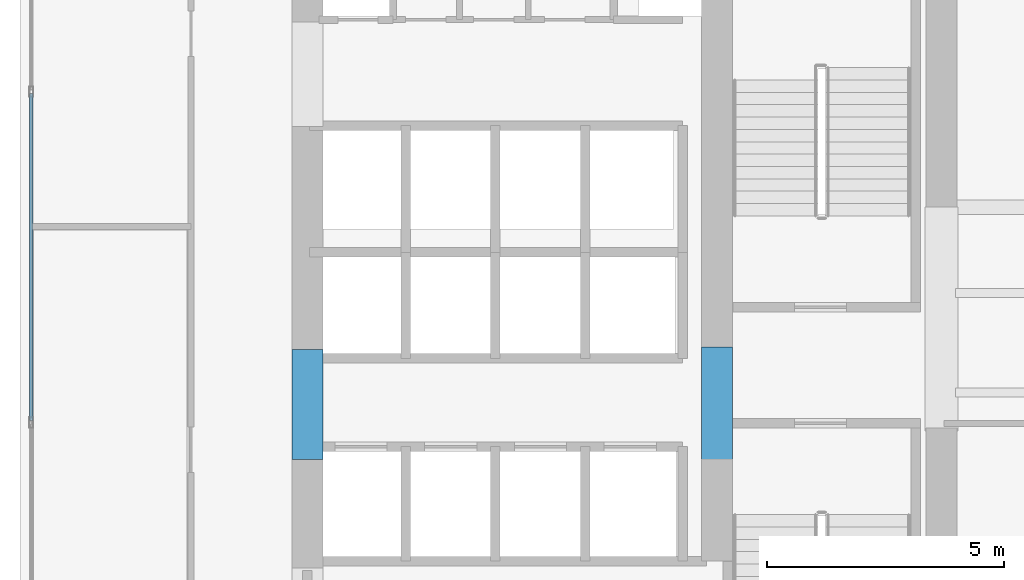
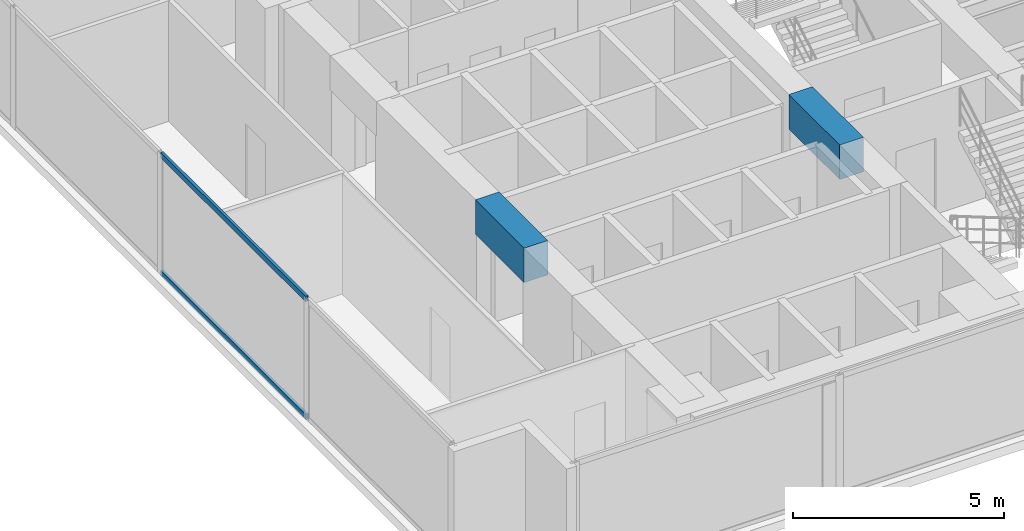
# One storey, part 3 of 25: 2 beams, 2 members, 1 element without a shape of its own.
"""IFC4 building model written with IfcOpenShell, lengths in metres."""

from ifc_helpers import new_model, si_unit, direction, frame, origin, origin_with_axes, origin_2d, place, context, subcontext, project, spatial, rectangle, hollow_rectangle, extrude, source, transform, mapped, material, layer, layer_set, material_profile, profile_set, type_object, element, aggregate, save


model = new_model("IFC4")

# Units and contexts
model_context = context("Model", 3, precision=1e-05, world=origin(), true_north=direction((0.0, 1.0)))
body_context = subcontext(model_context, "Body", "Model", "MODEL_VIEW")
ifc_project = project(units=[si_unit("LENGTHUNIT", "METRE"), si_unit("AREAUNIT", "SQUARE_METRE"), si_unit("VOLUMEUNIT", "CUBIC_METRE"), si_unit("PLANEANGLEUNIT", "RADIAN"), si_unit("MASSUNIT", "GRAM", prefix="KILO")], contexts=[model_context])

# Site, building, storey
site_placement = place(None, origin())
site = spatial("IfcSite", under=ifc_project, at=site_placement, CompositionType="ELEMENT")
building_placement = place(site_placement, origin())
building = spatial("IfcBuilding", under=site, at=building_placement, Name="Kolvaren Waterfront Exchange", CompositionType="ELEMENT")
storey_placement = place(building_placement, frame((0.0, 0.0, 106.89990234375)))
storey = spatial("IfcBuildingStorey", under=building, at=storey_placement, Name="L27", CompositionType="ELEMENT", Elevation=106.89990234375)

# Beams
ifc_material_1 = material(Name="Concrete C60/75", Category="concrete")
ifc_material_profile_1 = material_profile(ifc_material_1, rectangle(XDim=0.64990234375, YDim=1.0, at=origin_2d()), Name="RC-CB-1000x650")
ifc_profile_set_1 = profile_set([ifc_material_profile_1], Name="Concrete C60/75")
beam_type = type_object("IfcBeamType", Name="STR-CB-1000", PredefinedType="SPANDREL", material=ifc_profile_set_1)
beam_1_placement = place(storey_placement, frame((7.449951171875, 12.090087890625, 3.0), z_axis=(0.0, 1.0, 0.0), x_axis=(-1.0, 0.0, 0.0)))
element("IfcBeam", 1, at=beam_1_placement, inside=storey, type_object=beam_type, Name="L27 core coupling beam 4", PredefinedType="SPANDREL", context=body_context, shape_type="SweptSolid", body=[
    extrude(rectangle(XDim=0.64990234375, YDim=1.0, at=origin_2d()), origin(), (0.0, 0.0, 1.0), 2.31982421875),
])
beam_2_placement = place(storey_placement, frame((16.074951171875, 12.0400390625, 3.0), z_axis=(0.0, 1.0, 0.0), x_axis=(-1.0, 0.0, 0.0)))
element("IfcBeam", 2, at=beam_2_placement, inside=storey, type_object=beam_type, Name="L27 core coupling beam 6", PredefinedType="SPANDREL", context=body_context, shape_type="SweptSolid", body=[
    extrude(rectangle(XDim=0.64990234375, YDim=1.0, at=origin_2d()), origin(), (0.0, 0.0, 1.0), 2.419921875),
])

# Curtain wall, members
ifc_material_2 = material(Name="Anodised aluminium 6063-T6", Category="aluminium")
ifc_layer = layer(ifc_material_2, 0.219970703125, Name="Anodised aluminium 6063-T6")
ifc_layer_set = layer_set([ifc_layer], Name="Anodised aluminium 6063-T6")
curtain_wall_type = type_object("IfcCurtainWallType", Name="ARC-CW-SYS2", PredefinedType="USERDEFINED", material=ifc_layer_set)
curtain_wall_placement = place(storey_placement, origin())
curtain_wall = element("IfcCurtainWall", 3, at=curtain_wall_placement, inside=storey, type_object=curtain_wall_type, Name="L27 stick curtain wall CW2 (CW-L27-W)", ObjectType="STICK CURTAIN WALL", PredefinedType="USERDEFINED")
ifc_material_profile_2 = material_profile(ifc_material_2, hollow_rectangle(XDim=0.074951171875, YDim=0.159912109375, WallThickness=0.00439453125, at=origin_2d()), Name="ALU-TRN-160x75x4.5")
ifc_profile_set_2 = profile_set([ifc_material_profile_2], Name="Anodised aluminium 6063-T6")
member_type = type_object("IfcMemberType", Name="ARC-CWT-160", PredefinedType="USERDEFINED", material=ifc_profile_set_2)
shared_shape = source(origin_with_axes(), body_context, "Body", "SweptSolid", [
    extrude(hollow_rectangle(XDim=0.074951171875, YDim=0.159912109375, WallThickness=0.00439453125, at=origin_2d()), origin(), (0.0, 0.0, 1.0), 6.886474609375),
])
member_1_placement = place(storey_placement, frame((1.639892578125, 12.90673828125, 0.03759765625), z_axis=(0.0, 1.0, 0.0), x_axis=(-1.0, 0.0, 0.0)))
member_1 = element("IfcMember", 4, at=member_1_placement, type_object=member_type, Name="CW2 transom 2.1", ObjectType="TRANSOM", PredefinedType="USERDEFINED", context=body_context, shape_type="MappedRepresentation", body=[
    mapped(shared_shape, transform((0.0, 0.0, 0.0), x_axis=(1.0, 0.0, 0.0), y_axis=(0.0, 1.0, 0.0), z_axis=(0.0, 0.0, 1.0), scale=1.0)),
])
member_2_placement = place(storey_placement, frame((1.639892578125, 12.90673828125, 3.462646484375), z_axis=(0.0, 1.0, 0.0), x_axis=(-1.0, 0.0, 0.0)))
member_2 = element("IfcMember", 5, at=member_2_placement, type_object=member_type, Name="CW2 transom 2.2", ObjectType="TRANSOM", PredefinedType="USERDEFINED", context=body_context, shape_type="MappedRepresentation", body=[
    mapped(shared_shape, transform((0.0, 0.0, 0.0), x_axis=(1.0, 0.0, 0.0), y_axis=(0.0, 1.0, 0.0), z_axis=(0.0, 0.0, 1.0), scale=1.0)),
])
aggregate(curtain_wall, [member_1, member_2])

save(model, "model.ifc")
